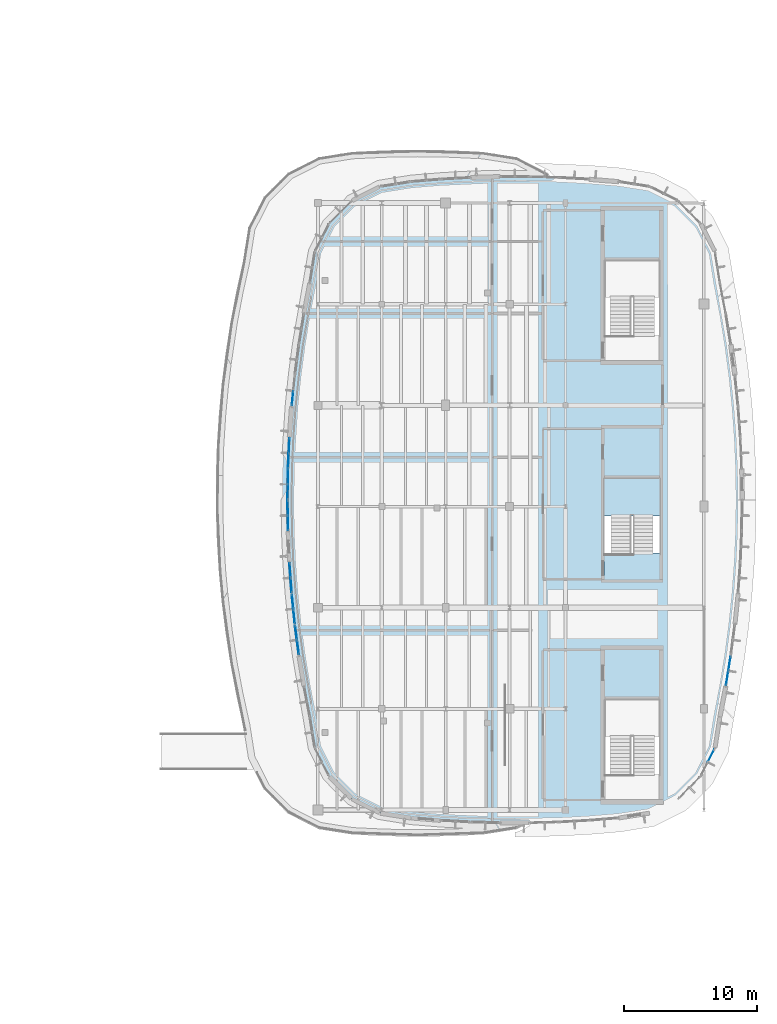
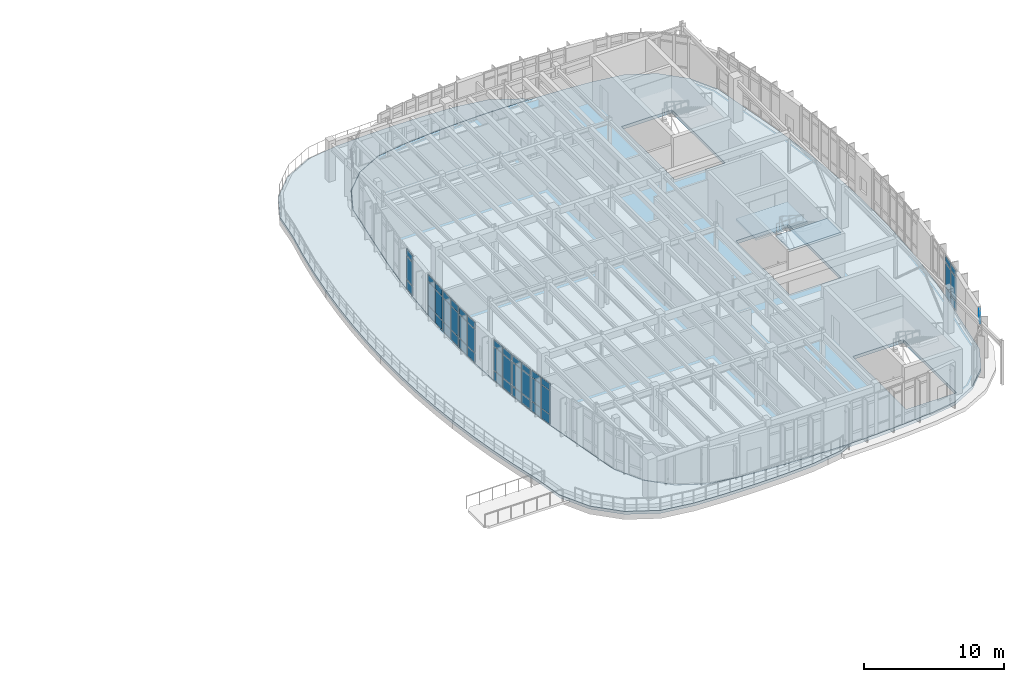
# One storey, part 72 of 105: 46 plates, 4 slabs, 10 elements without a shape of their own.
"""IFC4 building model written with IfcOpenShell, lengths in metres."""

from ifc_helpers import new_model, si_unit, direction, frame, origin, origin_2d, place, context, subcontext, project, spatial, polyline, rectangle, outline, extrude, material, layer, layer_set, type_object, element, aggregate, save


model = new_model("IFC4")

# Units and contexts
model_context = context("Model", 3, precision=1e-05, world=origin(), true_north=direction((0.0, 1.0)))
body_context = subcontext(model_context, "Body", "Model", "MODEL_VIEW")
ifc_project = project(units=[si_unit("LENGTHUNIT", "METRE"), si_unit("AREAUNIT", "SQUARE_METRE"), si_unit("VOLUMEUNIT", "CUBIC_METRE"), si_unit("PLANEANGLEUNIT", "RADIAN"), si_unit("MASSUNIT", "GRAM", prefix="KILO")], contexts=[model_context])

# Site, building, storey
site_placement = place(None, origin())
site = spatial("IfcSite", under=ifc_project, at=site_placement, CompositionType="ELEMENT")
building_placement = place(site_placement, origin())
building = spatial("IfcBuilding", under=site, at=building_placement, Name="Corveleigh Park Community Centre", CompositionType="ELEMENT")
storey_placement = place(building_placement, frame((0.0, 0.0, 8.699951171875)))
storey = spatial("IfcBuildingStorey", under=building, at=storey_placement, Name="L02", CompositionType="ELEMENT", Elevation=8.699951171875)

# Curtain wall, plate
ifc_material_1 = material(Name="Anodised aluminium 6063-T6", Category="aluminium")
curtain_wall_type = type_object("IfcCurtainWallType", Name="CW-SYS-V4-L01", PredefinedType="NOTDEFINED", material=ifc_material_1)
curtain_wall_1_placement = place(storey_placement, origin())
curtain_wall_1 = element("IfcCurtainWall", 1, at=curtain_wall_1_placement, inside=storey, type_object=curtain_wall_type, Name="V4 L02 Curtain Wall 364", PredefinedType="NOTDEFINED")
ifc_material_2 = material(Name="Low-E double glazing", Category="glass")
ifc_layer_1 = layer(ifc_material_2, 0.028076171875, Name="Low-E double glazing", Category="glass")
ifc_layer_set_1 = layer_set([ifc_layer_1], Name="Low-E double glazing")
plate_type_1 = type_object("IfcPlateType", Name="CWP-GLZ-28", PredefinedType="CURTAIN_PANEL", material=ifc_layer_set_1)
plate_1_placement = place(storey_placement, frame((168.941162109375, 62.687744140625, 3.029541015625), z_axis=(0.0, 0.0, 1.0), x_axis=(-0.454153628935, -0.8909233869, 0.0)))
plate_1 = element("IfcPlate", 2, at=plate_1_placement, type_object=plate_type_1, Name="CW08 panel 1.3", PredefinedType="CURTAIN_PANEL", context=body_context, shape_type="SweptSolid", body=[
    extrude(rectangle(XDim=1.0380859375, YDim=0.028076171875, at=origin_2d()), origin(), (0.0, 0.0, 1.0), 0.53759765625),
])
aggregate(curtain_wall_1, [plate_1])

# Curtain wall, plates
curtain_wall_2_placement = place(storey_placement, origin())
curtain_wall_2 = element("IfcCurtainWall", 3, at=curtain_wall_2_placement, inside=storey, type_object=curtain_wall_type, Name="V4 L02 Curtain Wall 365", PredefinedType="NOTDEFINED")
ifc_layer_2 = layer(ifc_material_2, 0.031982421875, Name="Low-E double glazing", Category="glass")
ifc_layer_set_2 = layer_set([ifc_layer_2], Name="Low-E double glazing")
plate_type_2 = type_object("IfcPlateType", Name="CWP-GLZ-32", PredefinedType="CURTAIN_PANEL", material=ifc_layer_set_2)
plate_2_placement = place(storey_placement, frame((170.322265625, 69.6142578125, 0.080078125), z_axis=(0.0, 0.0, 1.0), x_axis=(-0.160772991165, -0.986991410962, 0.0)))
plate_2 = element("IfcPlate", 4, at=plate_2_placement, type_object=plate_type_2, Name="CW08 panel 1.1", PredefinedType="CURTAIN_PANEL", context=body_context, shape_type="SweptSolid", body=[
    extrude(rectangle(XDim=1.043212890625, YDim=0.031982421875, at=origin_2d()), origin(), (0.0, 0.0, 1.0), 0.780029296875),
])
plate_3_placement = place(storey_placement, frame((170.322265625, 69.6142578125, 0.93994140625), z_axis=(0.0, 0.0, 1.0), x_axis=(-0.160772991165, -0.986991410962, 0.0)))
plate_3 = element("IfcPlate", 5, at=plate_3_placement, type_object=plate_type_2, Name="CW08 panel 1.2", PredefinedType="CURTAIN_PANEL", context=body_context, shape_type="SweptSolid", body=[
    extrude(rectangle(XDim=1.043212890625, YDim=0.031982421875, at=origin_2d()), origin(), (0.0, 0.0, 1.0), 2.011962890625),
])
plate_4_placement = place(storey_placement, frame((170.322265625, 69.6142578125, 3.0322265625), z_axis=(0.0, 0.0, 1.0), x_axis=(-0.160772991165, -0.986991410962, 0.0)))
plate_4 = element("IfcPlate", 6, at=plate_4_placement, type_object=plate_type_2, Name="CW08 panel 1.3", PredefinedType="CURTAIN_PANEL", context=body_context, shape_type="SweptSolid", body=[
    extrude(rectangle(XDim=1.043212890625, YDim=0.031982421875, at=origin_2d()), origin(), (0.0, 0.0, 1.0), 0.530029296875),
])
plate_5_placement = place(storey_placement, frame((170.1416015625, 68.505859375, 0.080078125), z_axis=(0.0, 0.0, 1.0), x_axis=(-0.160772991165, -0.986991410962, 0.0)))
plate_5 = element("IfcPlate", 7, at=plate_5_placement, type_object=plate_type_2, Name="CW08 panel 2.1", PredefinedType="CURTAIN_PANEL", context=body_context, shape_type="SweptSolid", body=[
    extrude(rectangle(XDim=1.043212890625, YDim=0.031982421875, at=origin_2d()), origin(), (0.0, 0.0, 1.0), 0.780029296875),
])
plate_6_placement = place(storey_placement, frame((170.1416015625, 68.505859375, 0.93994140625), z_axis=(0.0, 0.0, 1.0), x_axis=(-0.160772991165, -0.986991410962, 0.0)))
plate_6 = element("IfcPlate", 8, at=plate_6_placement, type_object=plate_type_2, Name="CW08 panel 2.2", PredefinedType="CURTAIN_PANEL", context=body_context, shape_type="SweptSolid", body=[
    extrude(rectangle(XDim=1.043212890625, YDim=0.031982421875, at=origin_2d()), origin(), (0.0, 0.0, 1.0), 2.011962890625),
])
plate_7_placement = place(storey_placement, frame((170.1416015625, 68.505859375, 3.0322265625), z_axis=(0.0, 0.0, 1.0), x_axis=(-0.160772991165, -0.986991410962, 0.0)))
plate_7 = element("IfcPlate", 9, at=plate_7_placement, type_object=plate_type_2, Name="CW08 panel 2.3", PredefinedType="CURTAIN_PANEL", context=body_context, shape_type="SweptSolid", body=[
    extrude(rectangle(XDim=1.043212890625, YDim=0.031982421875, at=origin_2d()), origin(), (0.0, 0.0, 1.0), 0.530029296875),
])
aggregate(curtain_wall_2, [plate_2, plate_3, plate_4, plate_5, plate_6, plate_7])

curtain_wall_3_placement = place(storey_placement, origin())
curtain_wall_3 = element("IfcCurtainWall", 10, at=curtain_wall_3_placement, inside=storey, type_object=curtain_wall_type, Name="V4 L02 Curtain Wall 390", PredefinedType="NOTDEFINED")
plate_8_placement = place(storey_placement, frame((137.49462890625, 89.53466796875, 0.080078125), z_axis=(0.0, 0.0, 1.0), x_axis=(0.102312467526, 0.994752310371, 0.0)))
plate_8 = element("IfcPlate", 11, at=plate_8_placement, type_object=plate_type_2, Name="CW08 panel 1.1", PredefinedType="CURTAIN_PANEL", context=body_context, shape_type="SweptSolid", body=[
    extrude(rectangle(XDim=1.03564453125, YDim=0.031982421875, at=origin_2d()), origin(), (0.0, 0.0, 1.0), 0.780029296875),
])
plate_9_placement = place(storey_placement, frame((137.49462890625, 89.53466796875, 0.93994140625), z_axis=(0.0, 0.0, 1.0), x_axis=(0.102312467526, 0.994752310371, 0.0)))
plate_9 = element("IfcPlate", 12, at=plate_9_placement, type_object=plate_type_2, Name="CW08 panel 1.2", PredefinedType="CURTAIN_PANEL", context=body_context, shape_type="SweptSolid", body=[
    extrude(rectangle(XDim=1.03564453125, YDim=0.031982421875, at=origin_2d()), origin(), (0.0, 0.0, 1.0), 2.007080078125),
])
plate_10_placement = place(storey_placement, frame((137.49462890625, 89.53466796875, 3.02685546875), z_axis=(0.0, 0.0, 1.0), x_axis=(0.102312467526, 0.994752310371, 0.0)))
plate_10 = element("IfcPlate", 13, at=plate_10_placement, type_object=plate_type_2, Name="CW08 panel 1.3", PredefinedType="CURTAIN_PANEL", context=body_context, shape_type="SweptSolid", body=[
    extrude(rectangle(XDim=1.03564453125, YDim=0.031982421875, at=origin_2d()), origin(), (0.0, 0.0, 1.0), 0.530029296875),
])
aggregate(curtain_wall_3, [plate_8, plate_9, plate_10])

curtain_wall_4_placement = place(storey_placement, origin())
curtain_wall_4 = element("IfcCurtainWall", 14, at=curtain_wall_4_placement, inside=storey, type_object=curtain_wall_type, Name="V4 L02 Curtain Wall 391", PredefinedType="NOTDEFINED")
ifc_layer_3 = layer(ifc_material_2, 0.035888671875, Name="Low-E double glazing", Category="glass")
ifc_layer_set_3 = layer_set([ifc_layer_3], Name="Low-E double glazing")
plate_type_3 = type_object("IfcPlateType", Name="CWP-GLZ-36", PredefinedType="CURTAIN_PANEL", material=ifc_layer_set_3)
plate_11_placement = place(storey_placement, frame((137.183349609375, 84.85009765625, 0.06005859375), z_axis=(0.0, 0.0, 1.0), x_axis=(0.044276673248, 0.999019307224, 0.0)))
plate_11 = element("IfcPlate", 15, at=plate_11_placement, type_object=plate_type_3, Name="CW08 panel 1.1", PredefinedType="CURTAIN_PANEL", context=body_context, shape_type="SweptSolid", body=[
    extrude(rectangle(XDim=1.0732421875, YDim=0.035888671875, at=origin_2d()), origin(), (0.0, 0.0, 1.0), 0.81005859375),
])
plate_12_placement = place(storey_placement, frame((137.183349609375, 84.85009765625, 0.93017578125), z_axis=(0.0, 0.0, 1.0), x_axis=(0.044276673248, 0.999019307224, 0.0)))
plate_12 = element("IfcPlate", 16, at=plate_12_placement, type_object=plate_type_3, Name="CW08 panel 1.2", PredefinedType="CURTAIN_PANEL", context=body_context, shape_type="SweptSolid", body=[
    extrude(rectangle(XDim=1.0732421875, YDim=0.035888671875, at=origin_2d()), origin(), (0.0, 0.0, 1.0), 2.027099609375),
])
plate_13_placement = place(storey_placement, frame((137.183349609375, 84.85009765625, 3.01708984375), z_axis=(0.0, 0.0, 1.0), x_axis=(0.044276673248, 0.999019307224, 0.0)))
plate_13 = element("IfcPlate", 17, at=plate_13_placement, type_object=plate_type_3, Name="CW08 panel 1.3", PredefinedType="CURTAIN_PANEL", context=body_context, shape_type="SweptSolid", body=[
    extrude(rectangle(XDim=1.0732421875, YDim=0.035888671875, at=origin_2d()), origin(), (0.0, 0.0, 1.0), 0.56005859375),
])
plate_14_placement = place(storey_placement, frame((137.233642578125, 85.98193359375, 0.06005859375), z_axis=(0.0, 0.0, 1.0), x_axis=(0.044276673248, 0.999019307224, 0.0)))
plate_14 = element("IfcPlate", 18, at=plate_14_placement, type_object=plate_type_3, Name="CW08 panel 2.1", PredefinedType="CURTAIN_PANEL", context=body_context, shape_type="SweptSolid", body=[
    extrude(rectangle(XDim=1.0732421875, YDim=0.035888671875, at=origin_2d()), origin(), (0.0, 0.0, 1.0), 0.81005859375),
])
plate_15_placement = place(storey_placement, frame((137.233642578125, 85.98193359375, 0.93017578125), z_axis=(0.0, 0.0, 1.0), x_axis=(0.044276673248, 0.999019307224, 0.0)))
plate_15 = element("IfcPlate", 19, at=plate_15_placement, type_object=plate_type_3, Name="CW08 panel 2.2", PredefinedType="CURTAIN_PANEL", context=body_context, shape_type="SweptSolid", body=[
    extrude(rectangle(XDim=1.0732421875, YDim=0.035888671875, at=origin_2d()), origin(), (0.0, 0.0, 1.0), 2.027099609375),
])
plate_16_placement = place(storey_placement, frame((137.233642578125, 85.98193359375, 3.01708984375), z_axis=(0.0, 0.0, 1.0), x_axis=(0.044276673248, 0.999019307224, 0.0)))
plate_16 = element("IfcPlate", 20, at=plate_16_placement, type_object=plate_type_3, Name="CW08 panel 2.3", PredefinedType="CURTAIN_PANEL", context=body_context, shape_type="SweptSolid", body=[
    extrude(rectangle(XDim=1.0732421875, YDim=0.035888671875, at=origin_2d()), origin(), (0.0, 0.0, 1.0), 0.56005859375),
])
aggregate(curtain_wall_4, [plate_11, plate_12, plate_13, plate_14, plate_15, plate_16])

curtain_wall_5_placement = place(storey_placement, origin())
curtain_wall_5 = element("IfcCurtainWall", 21, at=curtain_wall_5_placement, inside=storey, type_object=curtain_wall_type, Name="V4 L02 Curtain Wall 392", PredefinedType="NOTDEFINED")
plate_17_placement = place(storey_placement, frame((137.1318359375, 82.507080078125, 0.06494140625), z_axis=(0.0, 0.0, 1.0), x_axis=(0.014609527863, 0.999893275153, 0.0)))
plate_17 = element("IfcPlate", 22, at=plate_17_placement, type_object=plate_type_3, Name="CW08 panel 1.1", PredefinedType="CURTAIN_PANEL", context=body_context, shape_type="SweptSolid", body=[
    extrude(rectangle(XDim=1.066162109375, YDim=0.035888671875, at=origin_2d()), origin(), (0.0, 0.0, 1.0), 0.802490234375),
])
plate_18_placement = place(storey_placement, frame((137.1318359375, 82.507080078125, 0.9326171875), z_axis=(0.0, 0.0, 1.0), x_axis=(0.014609527863, 0.999893275153, 0.0)))
plate_18 = element("IfcPlate", 23, at=plate_18_placement, type_object=plate_type_3, Name="CW08 panel 1.2", PredefinedType="CURTAIN_PANEL", context=body_context, shape_type="SweptSolid", body=[
    extrude(rectangle(XDim=1.066162109375, YDim=0.035888671875, at=origin_2d()), origin(), (0.0, 0.0, 1.0), 2.02197265625),
])
plate_19_placement = place(storey_placement, frame((137.1318359375, 82.507080078125, 3.01953125), z_axis=(0.0, 0.0, 1.0), x_axis=(0.014609527863, 0.999893275153, 0.0)))
plate_19 = element("IfcPlate", 24, at=plate_19_placement, type_object=plate_type_3, Name="CW08 panel 1.3", PredefinedType="CURTAIN_PANEL", context=body_context, shape_type="SweptSolid", body=[
    extrude(rectangle(XDim=1.066162109375, YDim=0.035888671875, at=origin_2d()), origin(), (0.0, 0.0, 1.0), 0.552490234375),
])
plate_20_placement = place(storey_placement, frame((137.148193359375, 83.637939453125, 0.06494140625), z_axis=(0.0, 0.0, 1.0), x_axis=(0.014609527863, 0.999893275153, 0.0)))
plate_20 = element("IfcPlate", 25, at=plate_20_placement, type_object=plate_type_3, Name="CW08 panel 2.1", PredefinedType="CURTAIN_PANEL", context=body_context, shape_type="SweptSolid", body=[
    extrude(rectangle(XDim=1.066162109375, YDim=0.035888671875, at=origin_2d()), origin(), (0.0, 0.0, 1.0), 0.802490234375),
])
plate_21_placement = place(storey_placement, frame((137.148193359375, 83.637939453125, 0.9326171875), z_axis=(0.0, 0.0, 1.0), x_axis=(0.014609527863, 0.999893275153, 0.0)))
plate_21 = element("IfcPlate", 26, at=plate_21_placement, type_object=plate_type_3, Name="CW08 panel 2.2", PredefinedType="CURTAIN_PANEL", context=body_context, shape_type="SweptSolid", body=[
    extrude(rectangle(XDim=1.066162109375, YDim=0.035888671875, at=origin_2d()), origin(), (0.0, 0.0, 1.0), 2.02197265625),
])
plate_22_placement = place(storey_placement, frame((137.148193359375, 83.637939453125, 3.01953125), z_axis=(0.0, 0.0, 1.0), x_axis=(0.014609527863, 0.999893275153, 0.0)))
plate_22 = element("IfcPlate", 27, at=plate_22_placement, type_object=plate_type_3, Name="CW08 panel 2.3", PredefinedType="CURTAIN_PANEL", context=body_context, shape_type="SweptSolid", body=[
    extrude(rectangle(XDim=1.066162109375, YDim=0.035888671875, at=origin_2d()), origin(), (0.0, 0.0, 1.0), 0.552490234375),
])
aggregate(curtain_wall_5, [plate_17, plate_18, plate_19, plate_20, plate_21, plate_22])

curtain_wall_6_placement = place(storey_placement, origin())
curtain_wall_6 = element("IfcCurtainWall", 28, at=curtain_wall_6_placement, inside=storey, type_object=curtain_wall_type, Name="V4 L02 Curtain Wall 393", PredefinedType="NOTDEFINED")
ifc_layer_4 = layer(ifc_material_2, 0.0400390625, Name="Low-E double glazing", Category="glass")
ifc_layer_set_4 = layer_set([ifc_layer_4], Name="Low-E double glazing")
plate_type_4 = type_object("IfcPlateType", Name="CWP-GLZ-40", PredefinedType="CURTAIN_PANEL", material=ifc_layer_set_4)
plate_23_placement = place(storey_placement, frame((137.148193359375, 80.163330078125, 0.070068359375), z_axis=(0.0, 0.0, 1.0), x_axis=(-0.014609527863, 0.999893275153, 0.0)))
plate_23 = element("IfcPlate", 29, at=plate_23_placement, type_object=plate_type_4, Name="CW08 panel 1.1", PredefinedType="CURTAIN_PANEL", context=body_context, shape_type="SweptSolid", body=[
    extrude(rectangle(XDim=1.05859375, YDim=0.0400390625, at=origin_2d()), origin(), (0.0, 0.0, 1.0), 0.794921875),
])
plate_24_placement = place(storey_placement, frame((137.148193359375, 80.163330078125, 0.93505859375), z_axis=(0.0, 0.0, 1.0), x_axis=(-0.014609527863, 0.999893275153, 0.0)))
plate_24 = element("IfcPlate", 30, at=plate_24_placement, type_object=plate_type_4, Name="CW08 panel 1.2", PredefinedType="CURTAIN_PANEL", context=body_context, shape_type="SweptSolid", body=[
    extrude(rectangle(XDim=1.05859375, YDim=0.0400390625, at=origin_2d()), origin(), (0.0, 0.0, 1.0), 2.01708984375),
])
plate_25_placement = place(storey_placement, frame((137.148193359375, 80.163330078125, 3.02197265625), z_axis=(0.0, 0.0, 1.0), x_axis=(-0.014609527863, 0.999893275153, 0.0)))
plate_25 = element("IfcPlate", 31, at=plate_25_placement, type_object=plate_type_4, Name="CW08 panel 1.3", PredefinedType="CURTAIN_PANEL", context=body_context, shape_type="SweptSolid", body=[
    extrude(rectangle(XDim=1.05859375, YDim=0.0400390625, at=origin_2d()), origin(), (0.0, 0.0, 1.0), 0.544921875),
])
plate_26_placement = place(storey_placement, frame((137.1318359375, 81.291748046875, 0.070068359375), z_axis=(0.0, 0.0, 1.0), x_axis=(-0.014609527863, 0.999893275153, 0.0)))
plate_26 = element("IfcPlate", 32, at=plate_26_placement, type_object=plate_type_4, Name="CW08 panel 2.1", PredefinedType="CURTAIN_PANEL", context=body_context, shape_type="SweptSolid", body=[
    extrude(rectangle(XDim=1.05859375, YDim=0.0400390625, at=origin_2d()), origin(), (0.0, 0.0, 1.0), 0.794921875),
])
plate_27_placement = place(storey_placement, frame((137.1318359375, 81.291748046875, 0.93505859375), z_axis=(0.0, 0.0, 1.0), x_axis=(-0.014609527863, 0.999893275153, 0.0)))
plate_27 = element("IfcPlate", 33, at=plate_27_placement, type_object=plate_type_4, Name="CW08 panel 2.2", PredefinedType="CURTAIN_PANEL", context=body_context, shape_type="SweptSolid", body=[
    extrude(rectangle(XDim=1.05859375, YDim=0.0400390625, at=origin_2d()), origin(), (0.0, 0.0, 1.0), 2.01708984375),
])
plate_28_placement = place(storey_placement, frame((137.1318359375, 81.291748046875, 3.02197265625), z_axis=(0.0, 0.0, 1.0), x_axis=(-0.014609527863, 0.999893275153, 0.0)))
plate_28 = element("IfcPlate", 34, at=plate_28_placement, type_object=plate_type_4, Name="CW08 panel 2.3", PredefinedType="CURTAIN_PANEL", context=body_context, shape_type="SweptSolid", body=[
    extrude(rectangle(XDim=1.05859375, YDim=0.0400390625, at=origin_2d()), origin(), (0.0, 0.0, 1.0), 0.544921875),
])
aggregate(curtain_wall_6, [plate_23, plate_24, plate_25, plate_26, plate_27, plate_28])

curtain_wall_7_placement = place(storey_placement, origin())
curtain_wall_7 = element("IfcCurtainWall", 35, at=curtain_wall_7_placement, inside=storey, type_object=curtain_wall_type, Name="V4 L02 Curtain Wall 394", PredefinedType="NOTDEFINED")
plate_29_placement = place(storey_placement, frame((137.38720703125, 75.48193359375, 0.074951171875), z_axis=(0.0, 0.0, 1.0), x_axis=(-0.073048610443, 0.997328381483, 0.0)))
plate_29 = element("IfcPlate", 36, at=plate_29_placement, type_object=plate_type_4, Name="CW08 panel 1.1", PredefinedType="CURTAIN_PANEL", context=body_context, shape_type="SweptSolid", body=[
    extrude(rectangle(XDim=1.051025390625, YDim=0.0400390625, at=origin_2d()), origin(), (0.0, 0.0, 1.0), 0.78759765625),
])
plate_30_placement = place(storey_placement, frame((137.38720703125, 75.48193359375, 0.9375), z_axis=(0.0, 0.0, 1.0), x_axis=(-0.073048610443, 0.997328381483, 0.0)))
plate_30 = element("IfcPlate", 37, at=plate_30_placement, type_object=plate_type_4, Name="CW08 panel 1.2", PredefinedType="CURTAIN_PANEL", context=body_context, shape_type="SweptSolid", body=[
    extrude(rectangle(XDim=1.051025390625, YDim=0.0400390625, at=origin_2d()), origin(), (0.0, 0.0, 1.0), 2.011962890625),
])
plate_31_placement = place(storey_placement, frame((137.38720703125, 75.48193359375, 3.0244140625), z_axis=(0.0, 0.0, 1.0), x_axis=(-0.073048610443, 0.997328381483, 0.0)))
plate_31 = element("IfcPlate", 38, at=plate_31_placement, type_object=plate_type_4, Name="CW08 panel 1.3", PredefinedType="CURTAIN_PANEL", context=body_context, shape_type="SweptSolid", body=[
    extrude(rectangle(XDim=1.051025390625, YDim=0.0400390625, at=origin_2d()), origin(), (0.0, 0.0, 1.0), 0.53759765625),
])
plate_32_placement = place(storey_placement, frame((137.304931640625, 76.60498046875, 0.074951171875), z_axis=(0.0, 0.0, 1.0), x_axis=(-0.073048610443, 0.997328381483, 0.0)))
plate_32 = element("IfcPlate", 39, at=plate_32_placement, type_object=plate_type_4, Name="CW08 panel 2.1", PredefinedType="CURTAIN_PANEL", context=body_context, shape_type="SweptSolid", body=[
    extrude(rectangle(XDim=1.051025390625, YDim=0.0400390625, at=origin_2d()), origin(), (0.0, 0.0, 1.0), 0.78759765625),
])
plate_33_placement = place(storey_placement, frame((137.304931640625, 76.60498046875, 0.9375), z_axis=(0.0, 0.0, 1.0), x_axis=(-0.073048610443, 0.997328381483, 0.0)))
plate_33 = element("IfcPlate", 40, at=plate_33_placement, type_object=plate_type_4, Name="CW08 panel 2.2", PredefinedType="CURTAIN_PANEL", context=body_context, shape_type="SweptSolid", body=[
    extrude(rectangle(XDim=1.051025390625, YDim=0.0400390625, at=origin_2d()), origin(), (0.0, 0.0, 1.0), 2.011962890625),
])
plate_34_placement = place(storey_placement, frame((137.304931640625, 76.60498046875, 3.0244140625), z_axis=(0.0, 0.0, 1.0), x_axis=(-0.073048610443, 0.997328381483, 0.0)))
plate_34 = element("IfcPlate", 41, at=plate_34_placement, type_object=plate_type_4, Name="CW08 panel 2.3", PredefinedType="CURTAIN_PANEL", context=body_context, shape_type="SweptSolid", body=[
    extrude(rectangle(XDim=1.051025390625, YDim=0.0400390625, at=origin_2d()), origin(), (0.0, 0.0, 1.0), 0.53759765625),
])
aggregate(curtain_wall_7, [plate_29, plate_30, plate_31, plate_32, plate_33, plate_34])

curtain_wall_8_placement = place(storey_placement, origin())
curtain_wall_8 = element("IfcCurtainWall", 42, at=curtain_wall_8_placement, inside=storey, type_object=curtain_wall_type, Name="V4 L02 Curtain Wall 395", PredefinedType="NOTDEFINED")
ifc_layer_5 = layer(ifc_material_2, 0.0439453125, Name="Low-E double glazing", Category="glass")
ifc_layer_set_5 = layer_set([ifc_layer_5], Name="Low-E double glazing")
plate_type_5 = type_object("IfcPlateType", Name="CWP-GLZ-44", PredefinedType="CURTAIN_PANEL", material=ifc_layer_set_5)
plate_35_placement = place(storey_placement, frame((137.609375, 73.1494140625, 0.080078125), z_axis=(0.0, 0.0, 1.0), x_axis=(-0.102312467526, 0.994752310371, 0.0)))
plate_35 = element("IfcPlate", 43, at=plate_35_placement, type_object=plate_type_5, Name="CW08 panel 1.1", PredefinedType="CURTAIN_PANEL", context=body_context, shape_type="SweptSolid", body=[
    extrude(rectangle(XDim=1.043212890625, YDim=0.0439453125, at=origin_2d()), origin(), (0.0, 0.0, 1.0), 0.780029296875),
])
plate_36_placement = place(storey_placement, frame((137.609375, 73.1494140625, 0.93994140625), z_axis=(0.0, 0.0, 1.0), x_axis=(-0.102312467526, 0.994752310371, 0.0)))
plate_36 = element("IfcPlate", 44, at=plate_36_placement, type_object=plate_type_5, Name="CW08 panel 1.2", PredefinedType="CURTAIN_PANEL", context=body_context, shape_type="SweptSolid", body=[
    extrude(rectangle(XDim=1.043212890625, YDim=0.0439453125, at=origin_2d()), origin(), (0.0, 0.0, 1.0), 2.007080078125),
])
plate_37_placement = place(storey_placement, frame((137.609375, 73.1494140625, 3.02685546875), z_axis=(0.0, 0.0, 1.0), x_axis=(-0.102312467526, 0.994752310371, 0.0)))
plate_37 = element("IfcPlate", 45, at=plate_37_placement, type_object=plate_type_5, Name="CW08 panel 1.3", PredefinedType="CURTAIN_PANEL", context=body_context, shape_type="SweptSolid", body=[
    extrude(rectangle(XDim=1.043212890625, YDim=0.0439453125, at=origin_2d()), origin(), (0.0, 0.0, 1.0), 0.530029296875),
])
plate_38_placement = place(storey_placement, frame((137.49462890625, 74.2666015625, 0.080078125), z_axis=(0.0, 0.0, 1.0), x_axis=(-0.102312467526, 0.994752310371, 0.0)))
plate_38 = element("IfcPlate", 46, at=plate_38_placement, type_object=plate_type_5, Name="CW08 panel 2.1", PredefinedType="CURTAIN_PANEL", context=body_context, shape_type="SweptSolid", body=[
    extrude(rectangle(XDim=1.043212890625, YDim=0.0439453125, at=origin_2d()), origin(), (0.0, 0.0, 1.0), 0.780029296875),
])
plate_39_placement = place(storey_placement, frame((137.49462890625, 74.2666015625, 0.93994140625), z_axis=(0.0, 0.0, 1.0), x_axis=(-0.102312467526, 0.994752310371, 0.0)))
plate_39 = element("IfcPlate", 47, at=plate_39_placement, type_object=plate_type_5, Name="CW08 panel 2.2", PredefinedType="CURTAIN_PANEL", context=body_context, shape_type="SweptSolid", body=[
    extrude(rectangle(XDim=1.043212890625, YDim=0.0439453125, at=origin_2d()), origin(), (0.0, 0.0, 1.0), 2.007080078125),
])
plate_40_placement = place(storey_placement, frame((137.49462890625, 74.2666015625, 3.02685546875), z_axis=(0.0, 0.0, 1.0), x_axis=(-0.102312467526, 0.994752310371, 0.0)))
plate_40 = element("IfcPlate", 48, at=plate_40_placement, type_object=plate_type_5, Name="CW08 panel 2.3", PredefinedType="CURTAIN_PANEL", context=body_context, shape_type="SweptSolid", body=[
    extrude(rectangle(XDim=1.043212890625, YDim=0.0439453125, at=origin_2d()), origin(), (0.0, 0.0, 1.0), 0.530029296875),
])
aggregate(curtain_wall_8, [plate_35, plate_36, plate_37, plate_38, plate_39, plate_40])

curtain_wall_9_placement = place(storey_placement, origin())
curtain_wall_9 = element("IfcCurtainWall", 49, at=curtain_wall_9_placement, inside=storey, type_object=curtain_wall_type, Name="V4 L02 Curtain Wall 396", PredefinedType="NOTDEFINED")
plate_41_placement = place(storey_placement, frame((137.899658203125, 70.82373046875, 0.06005859375), z_axis=(0.0, 0.0, 1.0), x_axis=(-0.131488178592, 0.991317738614, 0.0)))
plate_41 = element("IfcPlate", 50, at=plate_41_placement, type_object=plate_type_5, Name="CW08 panel 1.1", PredefinedType="CURTAIN_PANEL", context=body_context, shape_type="SweptSolid", body=[
    extrude(rectangle(XDim=1.0361328125, YDim=0.0439453125, at=origin_2d()), origin(), (0.0, 0.0, 1.0), 0.81005859375),
])
plate_42_placement = place(storey_placement, frame((137.899658203125, 70.82373046875, 0.93017578125), z_axis=(0.0, 0.0, 1.0), x_axis=(-0.131488178592, 0.991317738614, 0.0)))
plate_42 = element("IfcPlate", 51, at=plate_42_placement, type_object=plate_type_5, Name="CW08 panel 1.2", PredefinedType="CURTAIN_PANEL", context=body_context, shape_type="SweptSolid", body=[
    extrude(rectangle(XDim=1.0361328125, YDim=0.0439453125, at=origin_2d()), origin(), (0.0, 0.0, 1.0), 2.027099609375),
])
plate_43_placement = place(storey_placement, frame((137.899658203125, 70.82373046875, 3.01708984375), z_axis=(0.0, 0.0, 1.0), x_axis=(-0.131488178592, 0.991317738614, 0.0)))
plate_43 = element("IfcPlate", 52, at=plate_43_placement, type_object=plate_type_5, Name="CW08 panel 1.3", PredefinedType="CURTAIN_PANEL", context=body_context, shape_type="SweptSolid", body=[
    extrude(rectangle(XDim=1.0361328125, YDim=0.0439453125, at=origin_2d()), origin(), (0.0, 0.0, 1.0), 0.56005859375),
])
plate_44_placement = place(storey_placement, frame((137.752197265625, 71.935302734375, 0.06005859375), z_axis=(0.0, 0.0, 1.0), x_axis=(-0.131488178592, 0.991317738614, 0.0)))
plate_44 = element("IfcPlate", 53, at=plate_44_placement, type_object=plate_type_5, Name="CW08 panel 2.1", PredefinedType="CURTAIN_PANEL", context=body_context, shape_type="SweptSolid", body=[
    extrude(rectangle(XDim=1.0361328125, YDim=0.0439453125, at=origin_2d()), origin(), (0.0, 0.0, 1.0), 0.81005859375),
])
plate_45_placement = place(storey_placement, frame((137.752197265625, 71.935302734375, 0.93017578125), z_axis=(0.0, 0.0, 1.0), x_axis=(-0.131488178592, 0.991317738614, 0.0)))
plate_45 = element("IfcPlate", 54, at=plate_45_placement, type_object=plate_type_5, Name="CW08 panel 2.2", PredefinedType="CURTAIN_PANEL", context=body_context, shape_type="SweptSolid", body=[
    extrude(rectangle(XDim=1.0361328125, YDim=0.0439453125, at=origin_2d()), origin(), (0.0, 0.0, 1.0), 2.027099609375),
])
plate_46_placement = place(storey_placement, frame((137.752197265625, 71.935302734375, 3.01708984375), z_axis=(0.0, 0.0, 1.0), x_axis=(-0.131488178592, 0.991317738614, 0.0)))
plate_46 = element("IfcPlate", 55, at=plate_46_placement, type_object=plate_type_5, Name="CW08 panel 2.3", PredefinedType="CURTAIN_PANEL", context=body_context, shape_type="SweptSolid", body=[
    extrude(rectangle(XDim=1.0361328125, YDim=0.0439453125, at=origin_2d()), origin(), (0.0, 0.0, 1.0), 0.56005859375),
])
aggregate(curtain_wall_9, [plate_41, plate_42, plate_43, plate_44, plate_45, plate_46])

# Slab
ifc_material_3 = material(Name="Concrete C32/40", Category="concrete")
ifc_layer_6 = layer(ifc_material_3, 0.280029296875, Name="Concrete C32/40", Category="concrete")
ifc_layer_set_6 = layer_set([ifc_layer_6], Name="Concrete C32/40")
slab_type_1 = type_object("IfcSlabType", Name="SLB-FLR-280", PredefinedType="FLOOR", material=ifc_layer_set_6)
slab_1_placement = place(storey_placement, frame((0.0, 0.0, -0.280029296875)))
element("IfcSlab", 56, at=slab_1_placement, inside=storey, type_object=slab_type_1, Name="V4 L02 floor slab", PredefinedType="FLOOR", context=body_context, shape_type="SweptSolid", body=[
    extrude(outline(polyline([(144.051025390625, 58.3720703125), (141.93310546875, 59.450927734375), (140.2509765625, 61.133056640625), (139.172119140625, 63.2509765625), (137.97998046875, 70.217041015625), (137.672119140625, 72.5419921875), (137.431884765625, 74.8740234375), (137.260009765625, 77.212890625), (137.156982421875, 79.554931640625), (137.123046875, 81.89990234375), (137.156982421875, 84.2451171875), (137.260009765625, 86.5869140625), (137.431884765625, 88.926025390625), (137.672119140625, 91.258056640625), (137.97998046875, 93.5830078125), (139.172119140625, 100.549072265625), (140.2509765625, 102.6669921875), (141.93310546875, 104.34912109375), (144.051025390625, 105.427978515625), (146.39990234375, 105.800048828125), (148.6240234375, 105.98388671875), (150.85302734375, 106.10693359375), (153.083984375, 106.1689453125), (155.31591796875, 106.1689453125), (157.547119140625, 106.10693359375), (159.77587890625, 105.98388671875), (162.0, 105.800048828125), (164.34912109375, 105.427978515625), (166.467041015625, 104.34912109375), (168.14892578125, 102.6669921875), (169.22802734375, 100.549072265625), (170.419921875, 93.5830078125), (170.72802734375, 91.258056640625), (170.968017578125, 88.926025390625), (171.139892578125, 86.5869140625), (171.242919921875, 84.2451171875), (171.277099609375, 81.89990234375), (171.242919921875, 79.554931640625), (171.139892578125, 77.212890625), (170.968017578125, 74.8740234375), (170.72802734375, 72.5419921875), (170.419921875, 70.217041015625), (169.22802734375, 63.2509765625), (168.14892578125, 61.133056640625), (166.467041015625, 59.450927734375), (164.34912109375, 58.3720703125), (162.0, 58.0), (159.77587890625, 57.81591796875), (157.547119140625, 57.693115234375), (155.31591796875, 57.631103515625), (153.083984375, 57.631103515625), (150.85302734375, 57.693115234375), (148.6240234375, 57.81591796875), (146.39990234375, 58.0), (144.051025390625, 58.3720703125)]), holes=[polyline([(160.9208984375, 66.928955078125), (160.9208984375, 59.321044921875), (165.0791015625, 59.321044921875), (165.0791015625, 66.928955078125), (160.9208984375, 66.928955078125)]), polyline([(160.87109375, 83.529052734375), (160.87109375, 75.87109375), (165.12890625, 75.87109375), (165.12890625, 83.529052734375), (160.87109375, 83.529052734375)]), polyline([(165.0791015625, 99.928955078125), (160.9208984375, 99.928955078125), (160.9208984375, 92.321044921875), (165.0791015625, 92.321044921875), (165.0791015625, 99.928955078125)])]), origin(), (0.0, 0.0, 1.0), 0.280029296875),
])

# Stair, slabs
stair_type = type_object("IfcStairType", Name="STR-HT-1500-390", PredefinedType="USERDEFINED", material=ifc_material_3)
stair_placement = place(storey_placement, origin())
stair = element("IfcStair", 57, at=stair_placement, inside=storey, type_object=stair_type, Name="Protected escape stair ST6 (L02 to L03)", ObjectType="TWO_RETURN_STAIR", PredefinedType="USERDEFINED")
ifc_layer_7 = layer(ifc_material_3, 0.18798828125, Name="Concrete C32/40", Category="concrete")
ifc_layer_set_7 = layer_set([ifc_layer_7], Name="Concrete C32/40")
slab_type_2 = type_object("IfcSlabType", Name="SLB-LND-188", PredefinedType="LANDING", material=ifc_layer_set_7)
slab_2_placement = place(storey_placement, frame((0.0, 0.0, 1.761962890625)))
slab_2 = element("IfcSlab", 58, at=slab_2_placement, type_object=slab_type_2, Name="ST6 half landing", PredefinedType="LANDING", context=body_context, shape_type="SweptSolid", body=[
    extrude(outline(polyline([(160.876953125, 80.68505859375), (165.123046875, 80.68505859375), (165.123046875, 83.52294921875), (160.876953125, 83.52294921875), (160.876953125, 80.68505859375)])), origin(), (0.0, 0.0, 1.0), 0.18798828125),
])
slab_3_placement = place(storey_placement, frame((0.0, 0.0, 3.712158203125)))
slab_3 = element("IfcSlab", 59, at=slab_3_placement, type_object=slab_type_2, Name="ST6 upper landing", PredefinedType="LANDING", context=body_context, shape_type="SweptSolid", body=[
    extrude(outline(polyline([(160.876953125, 75.876953125), (165.123046875, 75.876953125), (165.123046875, 77.89990234375), (160.876953125, 77.89990234375), (160.876953125, 75.876953125)])), origin(), (0.0, 0.0, 1.0), 0.18798828125),
])
aggregate(stair, [slab_2, slab_3])

# Slab
ifc_layer_8 = layer(ifc_material_3, 0.2548828125, Name="Concrete C32/40", Category="concrete")
ifc_layer_set_8 = layer_set([ifc_layer_8], Name="Concrete C32/40")
slab_type_3 = type_object("IfcSlabType", Name="SLB-TER-255", PredefinedType="FLOOR", material=ifc_layer_set_8)
slab_4_placement = place(storey_placement, frame((0.0, 0.0, -0.2548828125)))
element("IfcSlab", 60, at=slab_4_placement, inside=storey, type_object=slab_type_3, Name="Step 2 Library Reading Terrace bay 1", PredefinedType="FLOOR", context=body_context, shape_type="SweptSolid", body=[
    extrude(outline(polyline([(154.333984375, 57.200927734375), (151.800048828125, 56.800048828125), (149.35107421875, 56.681884765625), (146.89990234375, 56.64306640625), (144.448974609375, 56.681884765625), (142.0, 56.800048828125), (139.466064453125, 57.200927734375), (137.179931640625, 58.365966796875), (135.365966796875, 60.179931640625), (134.200927734375, 62.466064453125), (133.800048828125, 65.0), (133.2939453125, 67.285888671875), (132.860107421875, 69.5859375), (132.498046875, 71.89892578125), (132.20703125, 74.221923828125), (131.989013671875, 76.552978515625), (131.843994140625, 78.889892578125), (131.77099609375, 81.22900390625), (131.77099609375, 83.571044921875), (131.843994140625, 85.909912109375), (131.989013671875, 88.2470703125), (132.20703125, 90.577880859375), (132.498046875, 92.90087890625), (132.860107421875, 95.214111328125), (133.2939453125, 97.513916015625), (133.800048828125, 99.800048828125), (134.200927734375, 102.333984375), (135.365966796875, 104.6201171875), (137.179931640625, 106.43408203125), (139.466064453125, 107.59912109375), (142.0, 108.0), (144.448974609375, 108.117919921875), (146.89990234375, 108.156982421875), (149.35107421875, 108.117919921875), (151.800048828125, 108.0), (154.333984375, 107.59912109375), (156.6201171875, 106.43408203125), (156.9140625, 106.139892578125), (153.083984375, 106.18408203125), (150.85302734375, 106.1220703125), (148.623046875, 105.9990234375), (146.39892578125, 105.81494140625), (144.0458984375, 105.44189453125), (141.922119140625, 104.360107421875), (140.238037109375, 102.675048828125), (139.157958984375, 100.552978515625), (137.965087890625, 93.5849609375), (137.656982421875, 91.260009765625), (137.4169921875, 88.927978515625), (137.2451171875, 86.587890625), (137.14208984375, 84.2451171875), (137.10791015625, 81.89990234375), (137.14208984375, 79.553955078125), (137.2451171875, 77.2119140625), (137.4169921875, 74.873046875), (137.656982421875, 72.5400390625), (137.965087890625, 70.215087890625), (139.157958984375, 63.2470703125), (140.238037109375, 61.125), (141.924072265625, 59.43896484375), (144.047119140625, 58.35791015625), (146.39794921875, 57.985107421875), (148.623046875, 57.801025390625), (150.85302734375, 57.677978515625), (155.14794921875, 57.615966796875), (154.333984375, 57.200927734375)])), origin(), (0.0, 0.0, 1.0), 0.2548828125),
])

save(model, "model.ifc")
